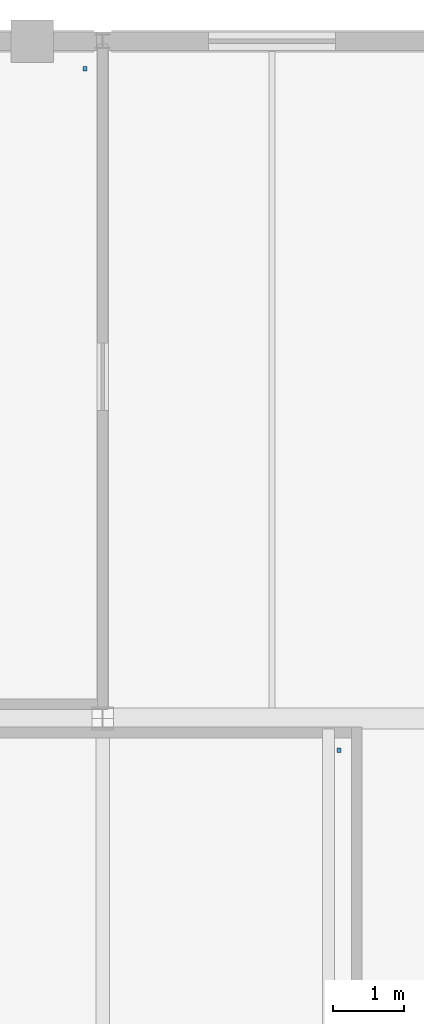
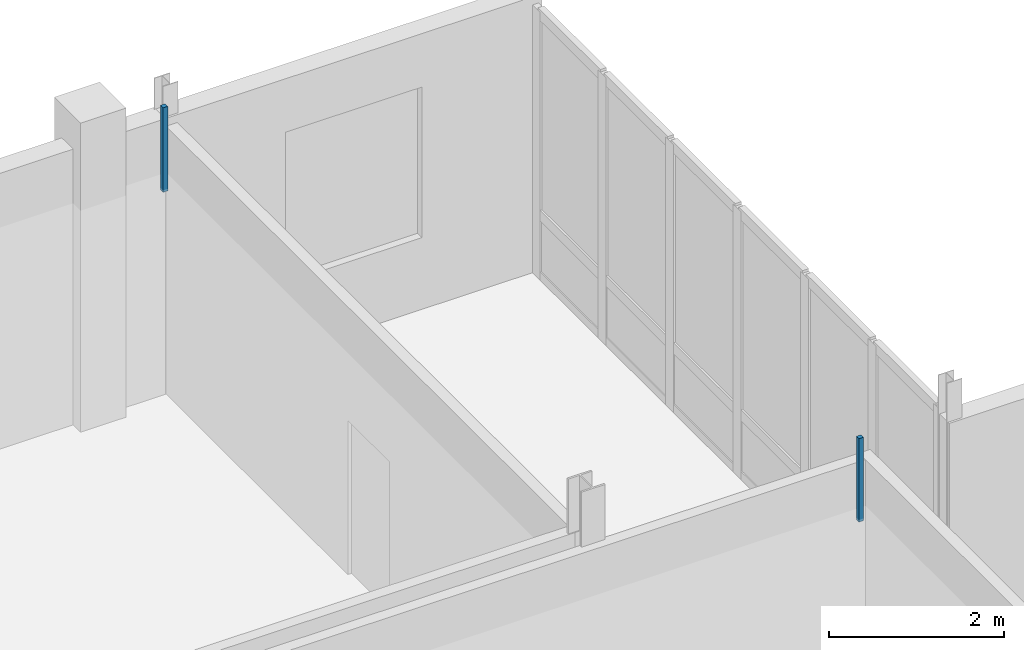
# One storey, part 86 of 110: 2 discrete accessories.
"""IFC4 building model written with IfcOpenShell, lengths in metres."""

import ifcopenshell
import ifcopenshell.guid

model = None  # the IFC model being written
_history = None  # IfcOwnerHistory: only IFC2X3 demands one
_inside = {}  # id of a spatial element -> (the spatial element, [elements in it])
_under = {}  # id of a project, library or spatial element -> (it, [spatial elements below it])
_declared = {}  # id of a project -> (the project, [libraries it declares])
_typed = {}  # id of a type object -> (the type object, [elements of that type])
_made_of = {}  # id of a material, layer set ... -> (it, [elements and type objects made of it])


def new_model(schema):
    """Start an empty IFC model of exactly this schema.

    Asked for "IFC4X3", IfcOpenShell would pick the latest addendum, in which some entities
    have other attributes; the version numbers below select the first issue.
    IFC2X3 requires an IfcOwnerHistory on every rooted entity: one is made here for all.
    """
    global model, _history
    if schema == "IFC4X3":
        model = ifcopenshell.file(schema_version=(4, 3, 0, 0))
    else:
        model = ifcopenshell.file(schema=schema)
    _inside.clear()
    _under.clear()
    _declared.clear()
    _typed.clear()
    _made_of.clear()
    _history = None
    if model.schema == "IFC2X3":
        org = make("IfcOrganization", Name="unknown")
        user = make(
            "IfcPersonAndOrganization",
            ThePerson=make("IfcPerson", FamilyName="unknown"),
            TheOrganization=org,
        )
        app = make(
            "IfcApplication",
            ApplicationDeveloper=org,
            Version="unknown",
            ApplicationFullName="unknown",
            ApplicationIdentifier="unknown",
        )
        _history = make(
            "IfcOwnerHistory",
            OwningUser=user,
            OwningApplication=app,
            ChangeAction="ADDED",
            CreationDate=0,
        )
    return model


def make(cls, **values):
    """One entity of the class cls with the attributes given. An attribute that is None is left unset."""
    return model.create_entity(
        cls, **{name: value for name, value in values.items() if value is not None}
    )


def rooted(cls, **values):
    """An entity with a GlobalId (a new one), such as an element, a storey or a relation."""
    return make(cls, GlobalId=ifcopenshell.guid.new(), OwnerHistory=_history, **values)


def si_unit(unit_type, name, prefix=None):
    """IfcSIUnit, for example si_unit("LENGTHUNIT", "METRE", prefix="MILLI")."""
    return make("IfcSIUnit", UnitType=unit_type, Prefix=prefix, Name=name)


def assignment(units):
    """IfcUnitAssignment: the units of a project."""
    return None if units is None else make("IfcUnitAssignment", Units=units)


def point(xyz):
    """IfcCartesianPoint."""
    return None if xyz is None else make("IfcCartesianPoint", Coordinates=xyz)


def direction(xyz):
    """IfcDirection."""
    return None if xyz is None else make("IfcDirection", DirectionRatios=xyz)


def frame(location, z_axis=None, x_axis=None):
    """IfcAxis2Placement3D, a coordinate frame: its origin and axes. An axis left out is left unset."""
    return make(
        "IfcAxis2Placement3D",
        Location=point(location),
        Axis=direction(z_axis),
        RefDirection=direction(x_axis),
    )


def origin():
    """The frame at (0, 0, 0) with its axes left unset."""
    return frame((0.0, 0.0, 0.0))


def place(relative_to, where):
    """IfcLocalPlacement: puts the frame where relative to a parent placement (None: the world)."""
    return make(
        "IfcLocalPlacement", PlacementRelTo=relative_to, RelativePlacement=where
    )


def context(
    kind, dimensions, precision=None, world=None, true_north=None, identifier=None
):
    """IfcGeometricRepresentationContext, for example the 3D "Model" context."""
    return make(
        "IfcGeometricRepresentationContext",
        ContextIdentifier=identifier,
        ContextType=kind,
        CoordinateSpaceDimension=dimensions,
        Precision=precision,
        WorldCoordinateSystem=world,
        TrueNorth=true_north,
    )


def subcontext(parent, identifier, kind, view, scale=None):
    """IfcGeometricRepresentationSubContext, for example "Body" below "Model"."""
    return make(
        "IfcGeometricRepresentationSubContext",
        ContextIdentifier=identifier,
        ContextType=kind,
        ParentContext=parent,
        TargetScale=scale,
        TargetView=view,
    )


def project(units=None, contexts=None):
    """IfcProject with its units and contexts."""
    return rooted(
        "IfcProject",
        Name="project",
        RepresentationContexts=contexts,
        UnitsInContext=assignment(units),
    )


def spatial(cls, under=None, at=None, **own):
    """A site, building, storey or space (cls), placed at a placement, below another one or the project."""
    s = rooted(cls, ObjectPlacement=at, **own)
    if under is not None:
        _under.setdefault(under.id(), (under, []))[1].append(s)
    return s


def polyline(points):
    """IfcPolyline through the points."""
    return make("IfcPolyline", Points=[point(p) for p in points])


def outline(outer, holes=None, kind="AREA"):
    """IfcArbitraryClosedProfileDef: a profile drawn as a closed curve; with holes, ...WithVoids."""
    if holes is None:
        return make("IfcArbitraryClosedProfileDef", ProfileType=kind, OuterCurve=outer)
    return make(
        "IfcArbitraryProfileDefWithVoids",
        ProfileType=kind,
        OuterCurve=outer,
        InnerCurves=holes,
    )


def extrude(swept, where, along, depth):
    """IfcExtrudedAreaSolid: the profile swept, set in the frame where, extruded along a direction by depth."""
    return make(
        "IfcExtrudedAreaSolid",
        SweptArea=swept,
        Position=where,
        ExtrudedDirection=direction(along),
        Depth=depth,
    )


def shape(context_of_items, identifier, shape_type, items):
    """IfcShapeRepresentation: the items that make up one representation, for example the "Body"."""
    return make(
        "IfcShapeRepresentation",
        ContextOfItems=context_of_items,
        RepresentationIdentifier=identifier,
        RepresentationType=shape_type,
        Items=items,
    )


def material(Name=None, Category=None):
    """IfcMaterial."""
    return make("IfcMaterial", Name=Name, Category=Category)


def made_of(thing, what):
    """Note that an element or type object is made of a material, layer set ...; save() writes the relation."""
    if what is not None:
        _made_of.setdefault(what.id(), (what, []))[1].append(thing)
    return thing


def type_object(cls, material=None, **own):
    """A type object (cls), such as IfcWallType, which elements share."""
    return made_of(rooted(cls, **own), material)


def element(
    cls,
    number,
    at=None,
    inside=None,
    cuts=None,
    type_object=None,
    material=None,
    context=None,
    identifier="Body",
    shape_type=None,
    held_by="IfcProductDefinitionShape",
    body=None,
    shapes=None,
    **own,
):
    """One element of the class cls, such as IfcWall. Its Tag is "e" and its number.

    at: its placement. inside: the storey or other place that contains it. cuts: it is an
    opening in that element (IfcRelVoidsElement). A single representation is given by context,
    identifier, shape_type and body (its items); several are given by shapes. held_by: the class
    of the entity that holds the representations. save() writes the other relations.
    """
    e = rooted(cls, Tag="e%d" % number, ObjectPlacement=at, **own)
    if body is not None:
        shapes = [shape(context, identifier, shape_type, body)]
    if shapes is not None:
        e.Representation = make(held_by, Representations=shapes)
    if inside is not None:
        _inside.setdefault(inside.id(), (inside, []))[1].append(e)
    if cuts is not None:
        rooted(
            "IfcRelVoidsElement", RelatingBuildingElement=cuts, RelatedOpeningElement=e
        )
    if type_object is not None:
        _typed.setdefault(type_object.id(), (type_object, []))[1].append(e)
    return made_of(e, material)


def aggregate(whole, parts):
    """IfcRelAggregates: a whole, such as a stair, and the parts it consists of."""
    return rooted("IfcRelAggregates", RelatingObject=whole, RelatedObjects=parts)


def save(model, path):
    """Write the relations noted so far, then the file.

    IfcRelAggregates (storeys below a building ...), IfcRelContainedInSpatialStructure (elements
    in a storey), IfcRelDefinesByType, IfcRelAssociatesMaterial and IfcRelDeclares: one each for
    every whole, place, type object, material and project.
    """
    for whole, parts in _under.values():
        aggregate(whole, parts)
    for where, things in _inside.values():
        rooted(
            "IfcRelContainedInSpatialStructure",
            RelatedElements=things,
            RelatingStructure=where,
        )
    for kind, things in _typed.values():
        rooted("IfcRelDefinesByType", RelatedObjects=things, RelatingType=kind)
    for what, things in _made_of.values():
        rooted("IfcRelAssociatesMaterial", RelatedObjects=things, RelatingMaterial=what)
    for by, libraries in _declared.values():
        rooted("IfcRelDeclares", RelatingContext=by, RelatedDefinitions=libraries)
    model.write(path)


model = new_model("IFC4")

# Units and contexts
model_context = context("Model", 3, precision=1e-05, world=origin(), true_north=direction((0.0, 1.0)))
body_context = subcontext(model_context, "Body", "Model", "MODEL_VIEW")
ifc_project = project(units=[si_unit("LENGTHUNIT", "METRE"), si_unit("AREAUNIT", "SQUARE_METRE"), si_unit("VOLUMEUNIT", "CUBIC_METRE"), si_unit("PLANEANGLEUNIT", "RADIAN"), si_unit("MASSUNIT", "GRAM", prefix="KILO")], contexts=[model_context])

# Site, building, storey
site_placement = place(None, origin())
site = spatial("IfcSite", under=ifc_project, at=site_placement, CompositionType="ELEMENT")
building_placement = place(site_placement, origin())
building = spatial("IfcBuilding", under=site, at=building_placement, Name="Dunescarp Central Library", CompositionType="ELEMENT")
storey_placement = place(building_placement, frame((0.0, 0.0, 9.60009765625)))
storey = spatial("IfcBuildingStorey", under=building, at=storey_placement, Name="L02", CompositionType="ELEMENT", Elevation=9.60009765625)

# Discrete accessories
ifc_material = material(Name="Stainless steel Grade 316L", Category="steel")
discrete_accessory_type = type_object("IfcDiscreteAccessoryType", Name="ARC-ACC-BRK", PredefinedType="BRACKET", material=ifc_material)
discrete_accessory_1_placement = place(storey_placement, frame((0.0, 0.0, 3.059814453125)))
element("IfcDiscreteAccessory", 1, at=discrete_accessory_1_placement, inside=storey, type_object=discrete_accessory_type, Name="L02 ceiling hanger CLG-L02-132-H2", PredefinedType="BRACKET", context=body_context, shape_type="SweptSolid", body=[
    extrude(outline(polyline([(22.52001953125, 89.1201171875), (22.580078125, 89.1201171875), (22.580078125, 89.179931640625), (22.52001953125, 89.179931640625), (22.52001953125, 89.1201171875)])), origin(), (0.0, 0.0, 1.0), 1.16015625),
])
discrete_accessory_2_placement = place(storey_placement, frame((0.0, 0.0, 3.059814453125)))
element("IfcDiscreteAccessory", 2, at=discrete_accessory_2_placement, inside=storey, type_object=discrete_accessory_type, Name="L02 ceiling hanger CLG-L02-133-H2", PredefinedType="BRACKET", context=body_context, shape_type="SweptSolid", body=[
    extrude(outline(polyline([(18.919921875, 98.780029296875), (18.97998046875, 98.780029296875), (18.97998046875, 98.840087890625), (18.919921875, 98.840087890625), (18.919921875, 98.780029296875)])), origin(), (0.0, 0.0, 1.0), 1.18017578125),
])

save(model, "model.ifc")
